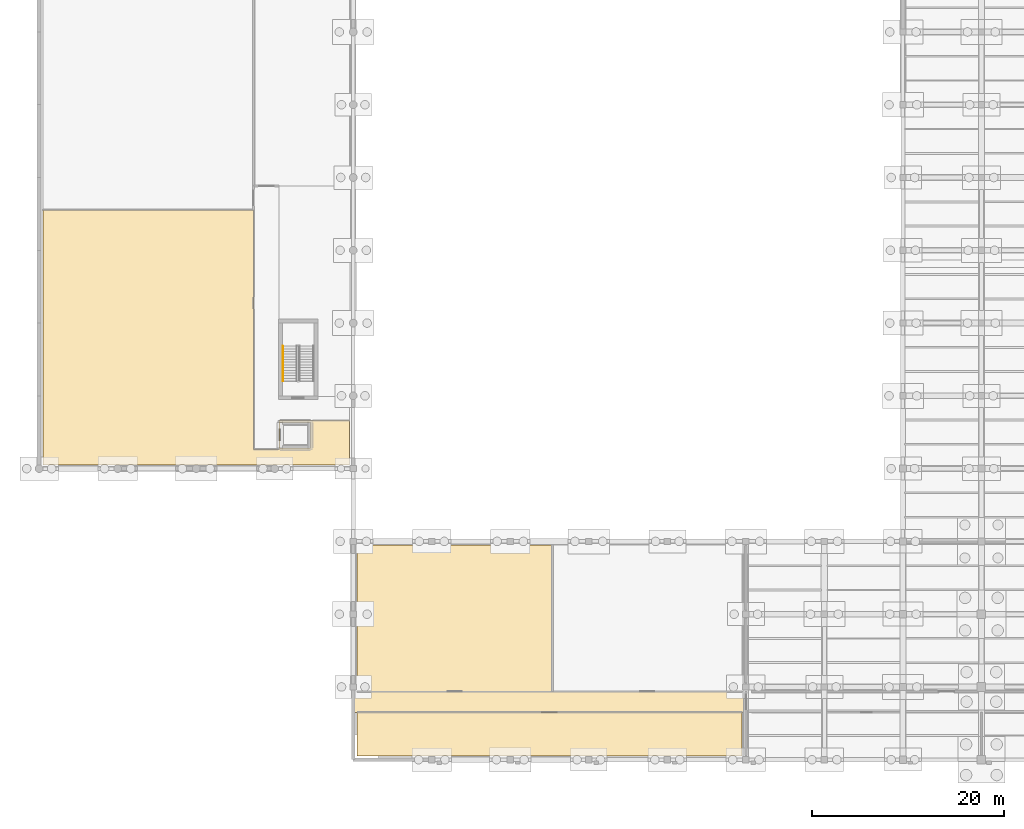
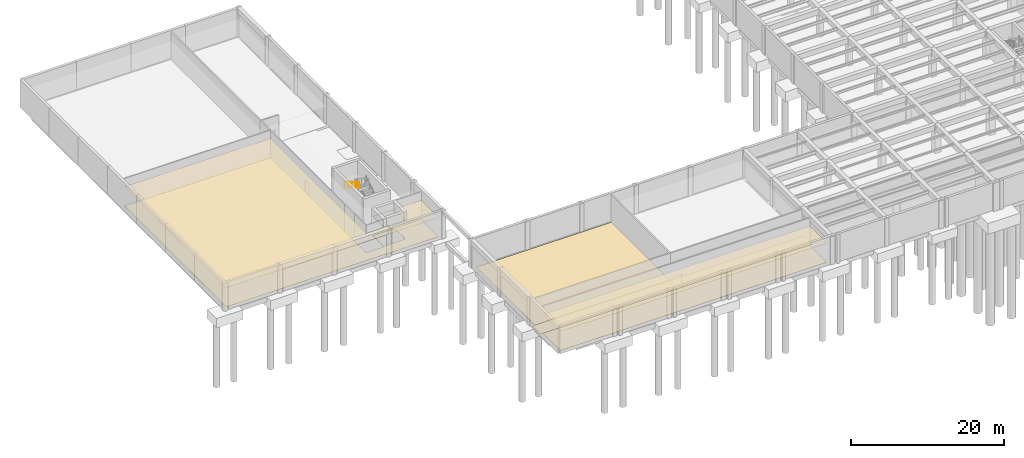
# One storey, part 23 of 29: 6 coverings, 1 railing.
"""IFC4 building model written with IfcOpenShell, lengths in metres."""

from ifc_helpers import new_model, si_unit, direction, frame, origin, origin_2d, place, context, subcontext, project, spatial, polyline, circle, outline, extrude, material, layer, layer_set, type_object, element, save


model = new_model("IFC4")

# Units and contexts
model_context = context("Model", 3, precision=1e-05, world=origin(), true_north=direction((0.0, 1.0)))
body_context = subcontext(model_context, "Body", "Model", "MODEL_VIEW")
ifc_project = project(units=[si_unit("LENGTHUNIT", "METRE"), si_unit("AREAUNIT", "SQUARE_METRE"), si_unit("VOLUMEUNIT", "CUBIC_METRE"), si_unit("PLANEANGLEUNIT", "RADIAN"), si_unit("MASSUNIT", "GRAM", prefix="KILO")], contexts=[model_context])

# Site, building, storey
site_placement = place(None, origin())
site = spatial("IfcSite", under=ifc_project, at=site_placement, CompositionType="ELEMENT")
building_placement = place(site_placement, origin())
building = spatial("IfcBuilding", under=site, at=building_placement, Name="Qandaris Square Conservatory and Botanical Centre", CompositionType="ELEMENT")
storey_placement = place(building_placement, frame((0.0, 0.0, -4.800048828125)))
storey = spatial("IfcBuildingStorey", under=building, at=storey_placement, Name="B1", CompositionType="ELEMENT", Elevation=-4.800048828125)

# Coverings
ifc_material_1 = material(Name="Honed Qatari Limestone", Category="masonry")
ifc_layer_1 = layer(ifc_material_1, 0.030029296875)
ifc_layer_set_1 = layer_set([ifc_layer_1], Name="Honed Qatari Limestone")
covering_type_1 = type_object("IfcCoveringType", Name="Honed Qatari Limestone Concourse Paving", PredefinedType="FLOORING", material=ifc_layer_set_1)
covering_1_placement = place(storey_placement, origin())
element("IfcCovering", 1, at=covering_1_placement, inside=storey, type_object=covering_type_1, Name="Auditorium Basement Corridor Flooring", PredefinedType="FLOORING", context=body_context, shape_type="SweptSolid", body=[
    extrude(outline(polyline([(57.199951171875, 23.699951171875), (98.199951171875, 23.699951171875), (98.199951171875, 21.550048828125), (57.199951171875, 21.550048828125), (57.199951171875, 23.699951171875)])), origin(), (0.0, 0.0, 1.0), 0.030029296875),
])
covering_2_placement = place(storey_placement, origin())
element("IfcCovering", 2, at=covering_2_placement, inside=storey, type_object=covering_type_1, Name="Stage Scenery and Instrument Store Flooring", PredefinedType="FLOORING", context=body_context, shape_type="SweptSolid", body=[
    extrude(outline(polyline([(57.60009765625, 21.550048828125), (97.800048828125, 21.550048828125), (97.800048828125, 17.0), (57.60009765625, 17.0), (57.60009765625, 21.550048828125)])), origin(), (0.0, 0.0, 1.0), 0.030029296875),
])
ifc_material_2 = material(Name="Gypsum Plasterboard", Category="gypsum")
ifc_layer_2 = layer(ifc_material_2, 0.02490234375)
ifc_layer_set_2 = layer_set([ifc_layer_2], Name="Gypsum Plasterboard")
covering_type_2 = type_object("IfcCoveringType", Name="Perforated Acoustic Lab Ceiling Tile", PredefinedType="CEILING", material=ifc_layer_set_2)
covering_3_placement = place(storey_placement, frame((0.0, 0.0, 3.050048828125)))
element("IfcCovering", 3, at=covering_3_placement, inside=storey, type_object=covering_type_2, Name="Controlled Environment Root Growth Chamber Ceiling", PredefinedType="CEILING", context=body_context, shape_type="SweptSolid", body=[
    extrude(outline(polyline([(24.800048828125, 74.0), (46.800048828125, 74.0), (46.800048828125, 54.550048828125), (46.800048828125, 52.0), (46.800048828125, 49.0), (49.449951171875, 49.0), (49.449951171875, 52.0), (56.800048828125, 52.0), (56.800048828125, 47.39990234375), (24.800048828125, 47.39990234375), (24.800048828125, 74.0)]), holes=[polyline([(49.56005859375, 49.159912109375), (52.739990234375, 49.159912109375), (52.739990234375, 51.840087890625), (49.56005859375, 51.840087890625), (49.56005859375, 49.159912109375)])]), origin(), (0.0, 0.0, 1.0), 0.02490234375),
])
covering_4_placement = place(storey_placement, frame((0.0, 0.0, 3.050048828125)))
element("IfcCovering", 4, at=covering_4_placement, inside=storey, type_object=covering_type_2, Name="Stage Scenery and Instrument Store Ceiling", PredefinedType="CEILING", context=body_context, shape_type="SweptSolid", body=[
    extrude(outline(polyline([(57.60009765625, 21.550048828125), (97.800048828125, 21.550048828125), (97.800048828125, 17.0), (57.60009765625, 17.0), (57.60009765625, 21.550048828125)])), origin(), (0.0, 0.0, 1.0), 0.02490234375),
])
ifc_material_3 = material(Name="Epoxy Resin Screed", Category="finish")
ifc_layer_3 = layer(ifc_material_3, 0.014892578125)
ifc_layer_set_3 = layer_set([ifc_layer_3], Name="Epoxy Resin Screed")
covering_type_3 = type_object("IfcCoveringType", Name="Seamless Epoxy Laboratory Flooring", PredefinedType="FLOORING", material=ifc_layer_set_3)
covering_5_placement = place(storey_placement, origin())
element("IfcCovering", 5, at=covering_5_placement, inside=storey, type_object=covering_type_3, Name="Controlled Environment Root Growth Chamber Flooring", PredefinedType="FLOORING", context=body_context, shape_type="SweptSolid", body=[
    extrude(outline(polyline([(24.800048828125, 74.0), (46.800048828125, 74.0), (46.800048828125, 54.550048828125), (46.800048828125, 52.0), (46.800048828125, 49.0), (49.449951171875, 49.0), (49.449951171875, 52.0), (56.800048828125, 52.0), (56.800048828125, 47.39990234375), (24.800048828125, 47.39990234375), (24.800048828125, 74.0)]), holes=[polyline([(49.56005859375, 49.159912109375), (52.739990234375, 49.159912109375), (52.739990234375, 51.840087890625), (49.56005859375, 51.840087890625), (49.56005859375, 49.159912109375)])]), origin(), (0.0, 0.0, 1.0), 0.01513671875),
])
covering_6_placement = place(storey_placement, origin())
element("IfcCovering", 6, at=covering_6_placement, inside=storey, type_object=covering_type_3, Name="Auditorium Understage Plenum and Traproom Flooring", PredefinedType="FLOORING", context=body_context, shape_type="SweptSolid", body=[
    extrude(outline(polyline([(57.60009765625, 39.0), (78.0, 39.0), (78.0, 23.699951171875), (57.60009765625, 23.699951171875), (57.60009765625, 39.0)])), origin(), (0.0, 0.0, 1.0), 0.01513671875),
])

# Railing
ifc_material_4 = material(Name="Stainless Steel", Category="steel")
railing_type = type_object("IfcRailingType", Name="Stair Tubular Handrail 920mm", PredefinedType="HANDRAIL", material=ifc_material_4)
railing_placement = place(storey_placement, frame((49.85009765625, 59.7900390625, 2.742919921875)))
element("IfcRailing", 7, at=railing_placement, inside=storey, type_object=railing_type, Name="B1 ST-5 stair handrail 2", PredefinedType="HANDRAIL", context=body_context, shape_type="SweptSolid", body=[
    extrude(circle(Radius=0.02392578125, at=origin_2d()), frame((0.0, 0.0, 0.89599609375), z_axis=(0.0, -0.852865859571, 0.52213008492), x_axis=(1.0, 0.0, 0.0)), (0.0, 0.0, 1.0), 4.26806640625),
    extrude(circle(Radius=0.02099609375, at=origin_2d()), origin(), (0.0, 0.0, 1.0), 0.871826171875),
    extrude(circle(Radius=0.02099609375, at=origin_2d()), frame((0.0, -0.91015625, 0.55712890625)), (0.0, 0.0, 1.0), 0.871826171875),
    extrude(circle(Radius=0.02099609375, at=origin_2d()), frame((0.0, -1.820068359375, 1.1142578125)), (0.0, 0.0, 1.0), 0.871826171875),
    extrude(circle(Radius=0.02099609375, at=origin_2d()), frame((0.0, -2.72998046875, 1.67138671875)), (0.0, 0.0, 1.0), 0.871826171875),
    extrude(circle(Radius=0.02099609375, at=origin_2d()), frame((0.0, -3.64013671875, 2.228515625)), (0.0, 0.0, 1.0), 0.871826171875),
])

save(model, "model.ifc")
